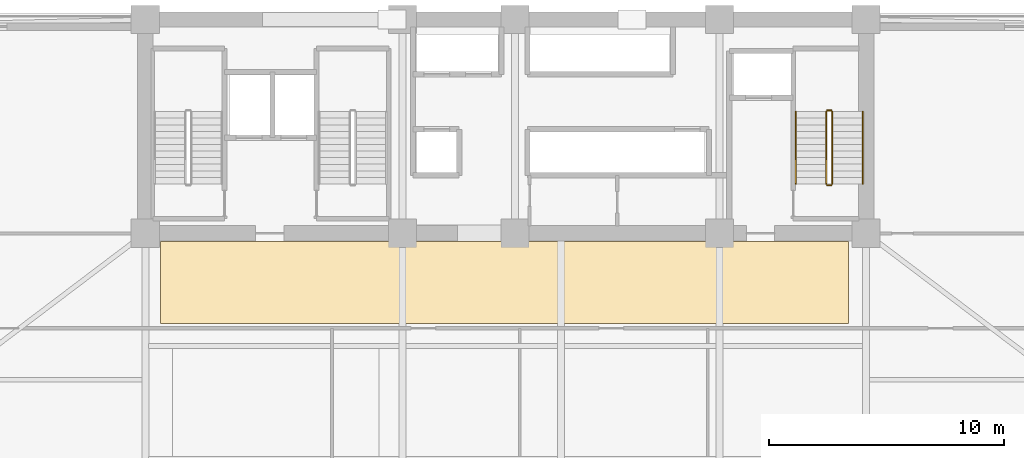
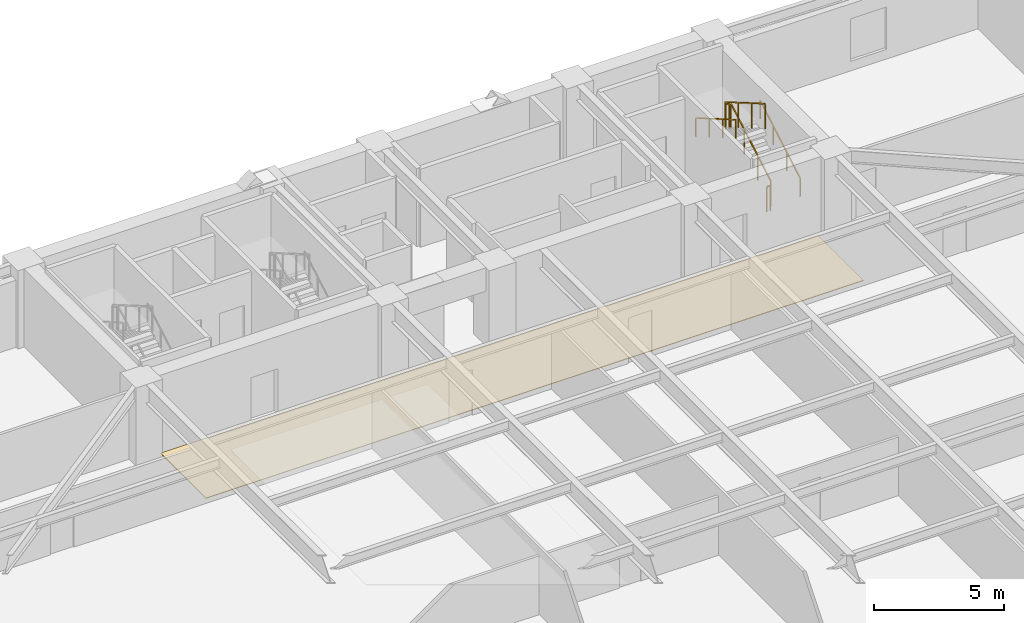
# One storey, part 16 of 17: 6 railings, 1 covering.
"""IFC4 building model written with IfcOpenShell, lengths in metres."""

from ifc_helpers import new_model, si_unit, direction, frame, origin, origin_2d, place, context, subcontext, project, spatial, polyline, rectangle, outline, extrude, material, layer, layer_set, type_object, element, save


model = new_model("IFC4")

# Units and contexts
model_context = context("Model", 3, precision=1e-05, world=origin(), true_north=direction((0.0, 1.0)))
body_context = subcontext(model_context, "Body", "Model", "MODEL_VIEW")
ifc_project = project(units=[si_unit("LENGTHUNIT", "METRE"), si_unit("AREAUNIT", "SQUARE_METRE"), si_unit("VOLUMEUNIT", "CUBIC_METRE"), si_unit("PLANEANGLEUNIT", "RADIAN"), si_unit("MASSUNIT", "GRAM", prefix="KILO")], contexts=[model_context])

# Site, building, storey
site_placement = place(None, origin())
site = spatial("IfcSite", under=ifc_project, at=site_placement, CompositionType="ELEMENT")
building_placement = place(site_placement, origin())
building = spatial("IfcBuilding", under=site, at=building_placement, Name="Giltprow Tower", CompositionType="ELEMENT")
storey_placement = place(building_placement, frame((0.0, 0.0, 41.0)))
storey = spatial("IfcBuildingStorey", under=building, at=storey_placement, Name="L10", CompositionType="ELEMENT", Elevation=41.0)

# Covering
ifc_material_1 = material(Name="Honed granite", Category="masonry")
ifc_layer = layer(ifc_material_1, 0.030029296875, Name="Honed granite")
ifc_layer_set = layer_set([ifc_layer], Name="Honed granite")
covering_type = type_object("IfcCoveringType", Name="COV-FLR-STONE", PredefinedType="FLOORING", material=ifc_layer_set)
covering_placement = place(storey_placement, origin())
element("IfcCovering", 1, at=covering_placement, inside=storey, type_object=covering_type, Name="L10 Office Corridor Stone Flooring", PredefinedType="FLOORING", context=body_context, shape_type="SweptSolid", body=[
    extrude(outline(polyline([(20.5, 33.60009765625), (49.800048828125, 33.60009765625), (49.800048828125, 37.10009765625), (20.5, 37.10009765625), (20.5, 33.60009765625)])), origin(), (0.0, 0.0, 1.0), 0.030029296875),
])

# Railings
ifc_material_2 = material(Name="Anodized bronze", Category="metal")
railing_type_1 = type_object("IfcRailingType", Name="RAIL-STAIR-GUARD-1200", PredefinedType="GUARDRAIL", material=ifc_material_2)
railing_1_placement = place(storey_placement, frame((49.110107421875, 39.550048828125, 0.16259765625)))
element("IfcRailing", 2, at=railing_1_placement, inside=storey, type_object=railing_type_1, Name="L10 ST-3 stair guard 1", PredefinedType="GUARDRAIL", context=body_context, shape_type="SweptSolid", body=[
    extrude(rectangle(XDim=0.048095703125, YDim=0.048095703125, at=origin_2d()), frame((0.0, 0.0, 1.17578125), z_axis=(0.0, 0.864903211148, 0.501938676878), x_axis=(-1.0, 0.0, 0.0)), (0.0, 0.0, 1.0), 3.560791015625),
    extrude(rectangle(XDim=0.0419921875, YDim=0.0419921875, at=origin_2d()), origin(), (0.0, 0.0, 1.0), 1.15185546875),
    extrude(rectangle(XDim=0.0419921875, YDim=0.0419921875, at=origin_2d()), frame((0.0, 1.026611328125, 0.595703125)), (0.0, 0.0, 1.0), 1.15185546875),
    extrude(rectangle(XDim=0.0419921875, YDim=0.0419921875, at=origin_2d()), frame((0.0, 2.05322265625, 1.191650390625)), (0.0, 0.0, 1.0), 1.15185546875),
    extrude(rectangle(XDim=0.0419921875, YDim=0.0419921875, at=origin_2d()), frame((0.0, 3.079833984375, 1.787353515625)), (0.0, 0.0, 1.0), 1.15185546875),
])
railing_2_placement = place(storey_placement, frame((49.06005859375, 42.679931640625, 1.949951171875)))
element("IfcRailing", 3, at=railing_2_placement, inside=storey, type_object=railing_type_1, Name="L10 ST-3 stair guard 2", PredefinedType="GUARDRAIL", context=body_context, shape_type="SweptSolid", body=[
    extrude(rectangle(XDim=0.048095703125, YDim=0.048095703125, at=origin_2d()), frame((0.0, 0.0, 1.17578125), z_axis=(-1.0, 0.0, 0.0), x_axis=(0.0, -1.0, 0.0)), (0.0, 0.0, 1.0), 0.16015625),
    extrude(rectangle(XDim=0.0419921875, YDim=0.0419921875, at=origin_2d()), origin(), (0.0, 0.0, 1.0), 1.15185546875),
    extrude(rectangle(XDim=0.0419921875, YDim=0.0419921875, at=origin_2d()), frame((-0.16015625, 0.0, 0.0)), (0.0, 0.0, 1.0), 1.15185546875),
])
railing_3_placement = place(storey_placement, frame((48.85009765625, 42.6298828125, 2.112548828125)))
element("IfcRailing", 4, at=railing_3_placement, inside=storey, type_object=railing_type_1, Name="L10 ST-3 stair guard 3", PredefinedType="GUARDRAIL", context=body_context, shape_type="SweptSolid", body=[
    extrude(rectangle(XDim=0.048095703125, YDim=0.048095703125, at=origin_2d()), frame((0.0, 0.0, 1.17578125), z_axis=(0.0, -0.864903211148, 0.501938676878), x_axis=(1.0, 0.0, 0.0)), (0.0, 0.0, 1.0), 3.560791015625),
    extrude(rectangle(XDim=0.0419921875, YDim=0.0419921875, at=origin_2d()), origin(), (0.0, 0.0, 1.0), 1.15185546875),
    extrude(rectangle(XDim=0.0419921875, YDim=0.0419921875, at=origin_2d()), frame((0.0, -1.026611328125, 0.595703125)), (0.0, 0.0, 1.0), 1.15185546875),
    extrude(rectangle(XDim=0.0419921875, YDim=0.0419921875, at=origin_2d()), frame((0.0, -2.05322265625, 1.191650390625)), (0.0, 0.0, 1.0), 1.15185546875),
    extrude(rectangle(XDim=0.0419921875, YDim=0.0419921875, at=origin_2d()), frame((0.0, -3.079833984375, 1.787353515625)), (0.0, 0.0, 1.0), 1.15185546875),
])
railing_4_placement = place(storey_placement, frame((49.06005859375, 39.5, 0.0)))
element("IfcRailing", 5, at=railing_4_placement, inside=storey, type_object=railing_type_1, Name="L10 ST-3 stair guard 4", PredefinedType="GUARDRAIL", context=body_context, shape_type="SweptSolid", body=[
    extrude(rectangle(XDim=0.048095703125, YDim=0.048095703125, at=origin_2d()), frame((0.0, 0.0, 1.17578125), z_axis=(-1.0, 0.0, 0.0), x_axis=(0.0, -1.0, 0.0)), (0.0, 0.0, 1.0), 0.16015625),
    extrude(rectangle(XDim=0.0419921875, YDim=0.0419921875, at=origin_2d()), origin(), (0.0, 0.0, 1.0), 1.15185546875),
    extrude(rectangle(XDim=0.0419921875, YDim=0.0419921875, at=origin_2d()), frame((-0.16015625, 0.0, 0.0)), (0.0, 0.0, 1.0), 1.15185546875),
])
railing_type_2 = type_object("IfcRailingType", Name="RAIL-STAIR-HAND-900", PredefinedType="HANDRAIL", material=ifc_material_2)
railing_5_placement = place(storey_placement, frame((50.409912109375, 39.550048828125, 0.16259765625)))
element("IfcRailing", 6, at=railing_5_placement, inside=storey, type_object=railing_type_2, Name="L10 ST-3 stair handrail 1", PredefinedType="HANDRAIL", context=body_context, shape_type="SweptSolid", body=[
    extrude(rectangle(XDim=0.048095703125, YDim=0.048095703125, at=origin_2d()), frame((0.0, 0.0, 0.8759765625), z_axis=(0.0, 0.864903211148, 0.501938676878), x_axis=(-1.0, 0.0, 0.0)), (0.0, 0.0, 1.0), 3.560791015625),
    extrude(rectangle(XDim=0.0419921875, YDim=0.0419921875, at=origin_2d()), origin(), (0.0, 0.0, 1.0), 0.851806640625),
    extrude(rectangle(XDim=0.0419921875, YDim=0.0419921875, at=origin_2d()), frame((0.0, 1.026611328125, 0.595703125)), (0.0, 0.0, 1.0), 0.851806640625),
    extrude(rectangle(XDim=0.0419921875, YDim=0.0419921875, at=origin_2d()), frame((0.0, 2.05322265625, 1.191650390625)), (0.0, 0.0, 1.0), 0.851806640625),
    extrude(rectangle(XDim=0.0419921875, YDim=0.0419921875, at=origin_2d()), frame((0.0, 3.079833984375, 1.787353515625)), (0.0, 0.0, 1.0), 0.851806640625),
])
railing_6_placement = place(storey_placement, frame((47.550048828125, 42.6298828125, 2.112548828125)))
element("IfcRailing", 7, at=railing_6_placement, inside=storey, type_object=railing_type_2, Name="L10 ST-3 stair handrail 2", PredefinedType="HANDRAIL", context=body_context, shape_type="SweptSolid", body=[
    extrude(rectangle(XDim=0.048095703125, YDim=0.048095703125, at=origin_2d()), frame((0.0, 0.0, 0.8759765625), z_axis=(0.0, -0.864903211148, 0.501938676878), x_axis=(1.0, 0.0, 0.0)), (0.0, 0.0, 1.0), 3.560791015625),
    extrude(rectangle(XDim=0.0419921875, YDim=0.0419921875, at=origin_2d()), origin(), (0.0, 0.0, 1.0), 0.851806640625),
    extrude(rectangle(XDim=0.0419921875, YDim=0.0419921875, at=origin_2d()), frame((0.0, -1.026611328125, 0.595703125)), (0.0, 0.0, 1.0), 0.851806640625),
    extrude(rectangle(XDim=0.0419921875, YDim=0.0419921875, at=origin_2d()), frame((0.0, -2.05322265625, 1.191650390625)), (0.0, 0.0, 1.0), 0.851806640625),
    extrude(rectangle(XDim=0.0419921875, YDim=0.0419921875, at=origin_2d()), frame((0.0, -3.079833984375, 1.787353515625)), (0.0, 0.0, 1.0), 0.851806640625),
])

save(model, "model.ifc")
